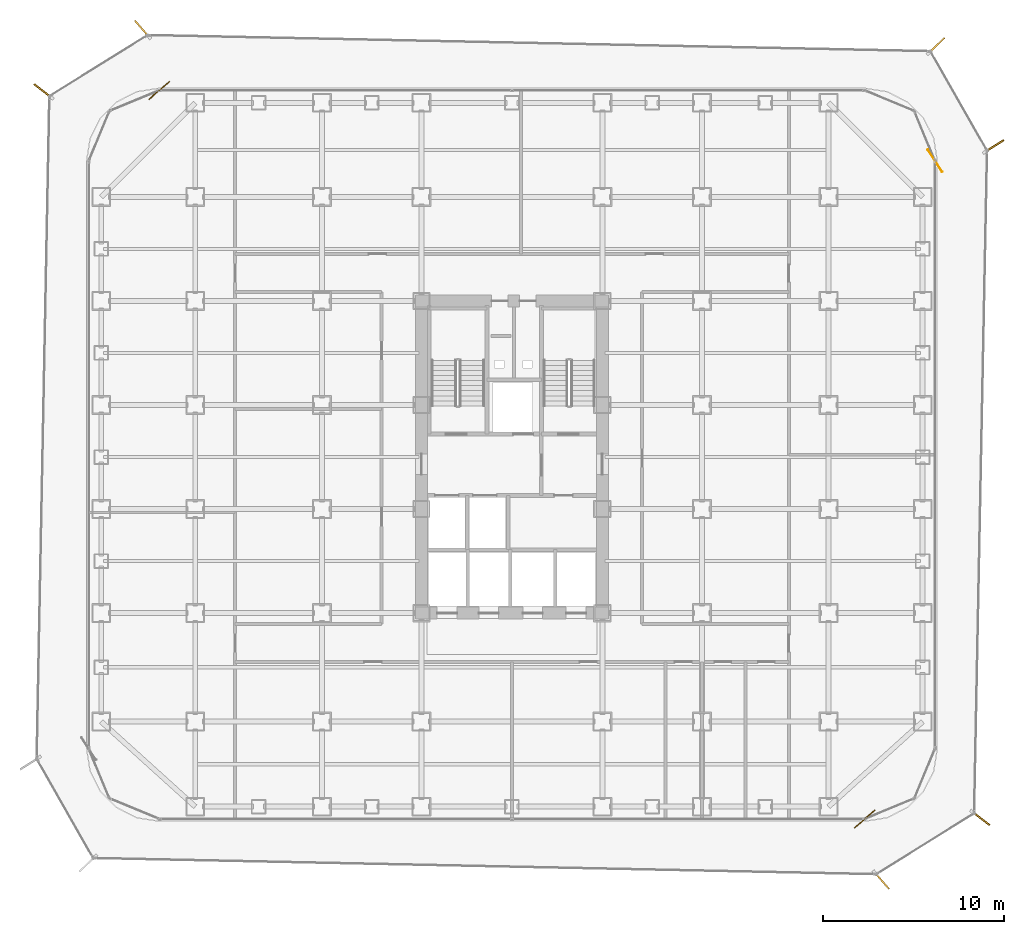
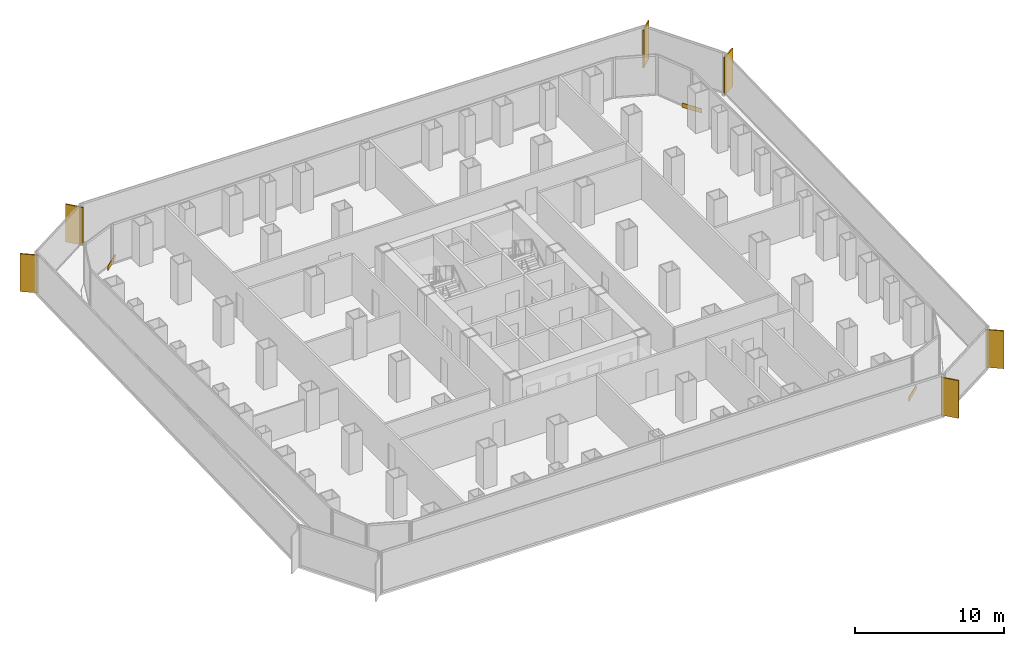
# One storey, part 21 of 21: 6 shading devices, 3 coverings.
"""IFC4 building model written with IfcOpenShell, lengths in metres."""

from ifc_helpers import new_model, si_unit, direction, frame, origin, origin_2d, place, context, subcontext, project, spatial, rectangle, extrude, source, transform, mapped, material, layer, layer_set, type_object, element, save


model = new_model("IFC4")

# Units and contexts
model_context = context("Model", 3, precision=1e-05, world=origin(), true_north=direction((0.0, 1.0)))
body_context = subcontext(model_context, "Body", "Model", "MODEL_VIEW")
ifc_project = project(units=[si_unit("LENGTHUNIT", "METRE"), si_unit("AREAUNIT", "SQUARE_METRE"), si_unit("VOLUMEUNIT", "CUBIC_METRE"), si_unit("PLANEANGLEUNIT", "RADIAN"), si_unit("MASSUNIT", "GRAM", prefix="KILO")], contexts=[model_context])

# Site, building, storey
site_placement = place(None, origin())
site = spatial("IfcSite", under=ifc_project, at=site_placement, CompositionType="ELEMENT")
building_placement = place(site_placement, origin())
building = spatial("IfcBuilding", under=site, at=building_placement, Name="Kolveth Station Tower", CompositionType="ELEMENT")
storey_placement = place(building_placement, frame((0.0, 0.0, 26.10009765625)))
storey = spatial("IfcBuildingStorey", under=building, at=storey_placement, Name="L06", CompositionType="ELEMENT", Elevation=26.10009765625)

# Shading devices
ifc_material_1 = material(Name="Black anodized aluminium 6063-T6", Category="aluminium")
shading_device_type = type_object("IfcShadingDeviceType", Name="FIN_VF1", PredefinedType="USERDEFINED", material=ifc_material_1)
shared_shape_1 = source(origin(), body_context, "Body", "SweptSolid", [
    extrude(rectangle(XDim=1.25, YDim=0.090087890625, at=origin_2d()), origin(), (0.0, 0.0, 1.0), 3.10009765625),
])
for number, where, z_axis, x_axis, name in (
    (1, (43.931884765625, -3.277099609375, -0.000244140625), (0.0, 0.0, 1.0), (0.655663774065, -0.755052988457, 0.0), "L06 Dark-Aluminium Solar Fin 1"),
    (2, (49.406982421875, 0.159912109375, -0.000244140625), (0.0, 0.0, 1.0), (0.790261972801, -0.612769136253, 0.0), "L06 Dark-Aluminium Solar Fin 2"),
    (3, (50.14404296875, 37.299072265625, -0.000244140625), (0.0, 0.0, 1.0), (0.842358350935, 0.538917812481, 0.0), "L06 Dark-Aluminium Solar Fin 3"),
    (4, (46.9580078125, 42.85791015625, -0.000244140625), (0.0, 0.0, 1.0), (0.720066850328, 0.69390469883, 0.0), "L06 Dark-Aluminium Solar Fin 4"),
    (5, (3.068115234375, 43.77587890625, -0.000244140625), (0.0, 0.0, 1.0), (-0.655663774065, 0.755052988457, 0.0), "L06 Dark-Aluminium Solar Fin 5"),
    (6, (-2.412109375, 40.343017578125, -0.000244140625), (0.0, 0.0, 1.0), (-0.790261972801, 0.612769136253, 0.0), "L06 Dark-Aluminium Solar Fin 6"),
):
    element("IfcShadingDevice", number, at=place(storey_placement, frame(where, z_axis=z_axis, x_axis=x_axis)), inside=storey, type_object=shading_device_type, Name=name, ObjectType="FIN", PredefinedType="USERDEFINED", context=body_context, shape_type="MappedRepresentation", body=[
        mapped(shared_shape_1, transform((0.0, 0.0, 0.0), x_axis=(1.0, 0.0, 0.0), y_axis=(0.0, 1.0, 0.0), z_axis=(0.0, 0.0, 1.0), scale=1.0)),
    ])

# Coverings
ifc_material_2 = material(Name="Charcoal anodized aluminium spandrel cladding", Category="aluminium")
ifc_layer = layer(ifc_material_2, 0.044921875)
ifc_layer_set = layer_set([ifc_layer], Name="Charcoal anodized aluminium spandrel cladding")
covering_type = type_object("IfcCoveringType", Name="Clad_CD1", PredefinedType="CLADDING", material=ifc_layer_set)
shared_shape_2 = source(origin(), body_context, "Body", "SweptSolid", [
    extrude(rectangle(XDim=1.5, YDim=0.044921875, at=origin_2d()), origin(), (0.0, 0.0, 1.0), 0.360107421875),
])
for number, where, z_axis, x_axis, name in (
    (7, (43.0, 0.1201171875, 0.0), (0.0, 0.0, 1.0), (0.755052988457, 0.655663774065, 0.0), "L06 Spandrel Edge Cladding 1"),
    (8, (46.8798828125, 36.5, 0.0), (0.0, 0.0, 1.0), (-0.538917812481, 0.842358350935, 0.0), "L06 Spandrel Edge Cladding 3"),
    (9, (4.0, 40.3798828125, 0.0), (0.0, 0.0, 1.0), (-0.755052988457, -0.655663774065, 0.0), "L06 Spandrel Edge Cladding 5"),
):
    element("IfcCovering", number, at=place(storey_placement, frame(where, z_axis=z_axis, x_axis=x_axis)), inside=storey, type_object=covering_type, Name=name, PredefinedType="CLADDING", context=body_context, shape_type="MappedRepresentation", body=[
        mapped(shared_shape_2, transform((0.0, 0.0, 0.0), x_axis=(1.0, 0.0, 0.0), y_axis=(0.0, 1.0, 0.0), z_axis=(0.0, 0.0, 1.0), scale=1.0)),
    ])

save(model, "model.ifc")
